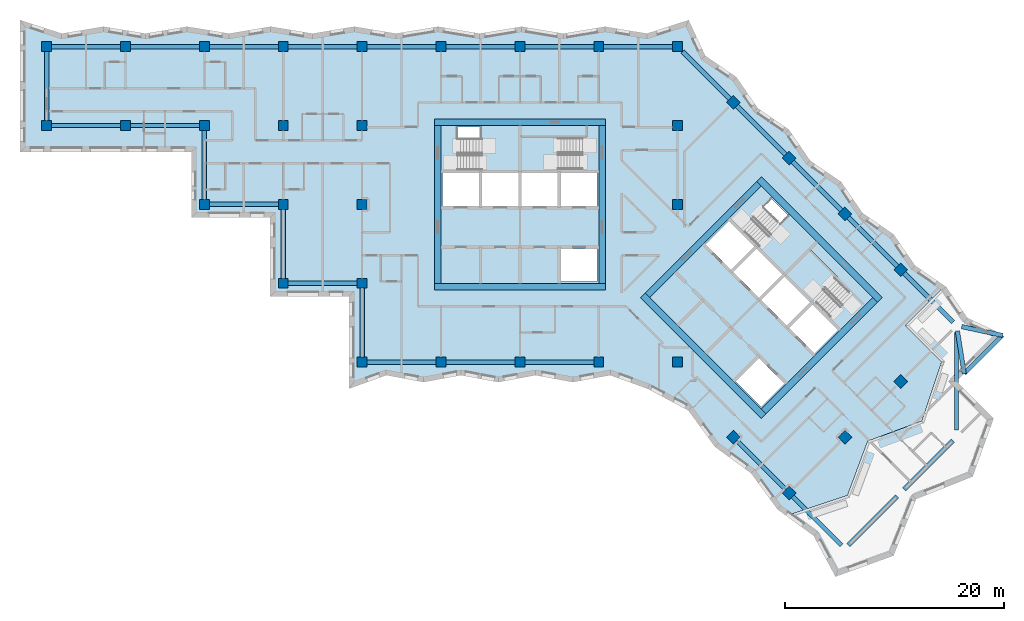
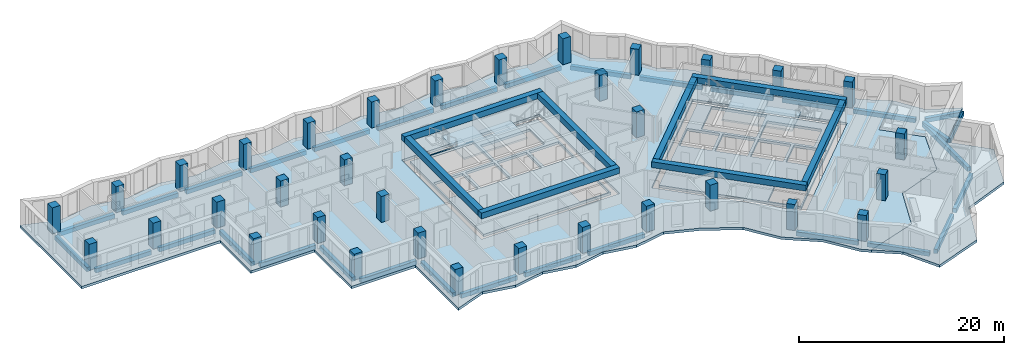
# One storey, part 1 of 13: 40 beams, 34 columns, 8 slabs, 16 openings, 4 elements without a shape of their own.
"""IFC4 building model written with IfcOpenShell, lengths in metres."""

from ifc_helpers import new_model, si_unit, direction, frame, origin, origin_2d, place, context, subcontext, project, spatial, polyline, rectangle, outline, extrude, material, layer, layer_set, material_profile, profile_set, type_object, element, aggregate, save


model = new_model("IFC4")

# Units and contexts
model_context = context("Model", 3, precision=1e-05, world=origin(), true_north=direction((0.0, 1.0)))
body_context = subcontext(model_context, "Body", "Model", "MODEL_VIEW")
ifc_project = project(units=[si_unit("LENGTHUNIT", "METRE"), si_unit("AREAUNIT", "SQUARE_METRE"), si_unit("VOLUMEUNIT", "CUBIC_METRE"), si_unit("PLANEANGLEUNIT", "RADIAN"), si_unit("MASSUNIT", "GRAM", prefix="KILO")], contexts=[model_context])

# Site, building, storey
site_placement = place(None, origin())
site = spatial("IfcSite", under=ifc_project, at=site_placement, CompositionType="ELEMENT")
building_placement = place(site_placement, origin())
building = spatial("IfcBuilding", under=site, at=building_placement, Name="Windrow Commons", CompositionType="ELEMENT")
storey_placement = place(building_placement, frame((0.0, 0.0, 172.8)))
storey = spatial("IfcBuildingStorey", under=building, at=storey_placement, Name="L47", CompositionType="ELEMENT", Elevation=172.8)

# Columns
ifc_material_1 = material(Name="Concrete C50/60", Category="concrete")
ifc_material_profile_1 = material_profile(ifc_material_1, rectangle(XDim=0.9, YDim=0.9, at=origin_2d()))
ifc_profile_set_1 = profile_set([ifc_material_profile_1], Name="Concrete C50/60")
column_type = type_object("IfcColumnType", Name="RC COLUMN 900x900 C50/60", PredefinedType="COLUMN", material=ifc_profile_set_1)
for number, where, z_axis, x_axis, name in (
    (1, (21.6, 64.8, 0.0), (0.0, 0.0, 1.0), (1.0, 0.0, 0.0), "C-Z3-04I"),
    (2, (21.6, 72.0, 0.0), (0.0, 0.0, 1.0), (1.0, 0.0, 0.0), "C-Z3-04J"),
    (3, (28.8, 64.8, 0.0), (0.0, 0.0, 1.0), (1.0, 0.0, 0.0), "C-Z3-05I"),
    (4, (28.8, 72.0, 0.0), (0.0, 0.0, 1.0), (1.0, 0.0, 0.0), "C-Z3-05J"),
    (5, (36.0, 57.6, 0.0), (0.0, 0.0, 1.0), (1.0, 0.0, 0.0), "C-Z3-06H"),
    (6, (36.0, 64.8, 0.0), (0.0, 0.0, 1.0), (1.0, 0.0, 0.0), "C-Z3-06I"),
    (7, (36.0, 72.0, 0.0), (0.0, 0.0, 1.0), (1.0, 0.0, 0.0), "C-Z3-06J"),
    (8, (43.2, 50.4, 0.0), (0.0, 0.0, 1.0), (1.0, 0.0, 0.0), "C-Z3-07G"),
    (9, (43.2, 57.6, 0.0), (0.0, 0.0, 1.0), (1.0, 0.0, 0.0), "C-Z3-07H"),
    (10, (43.2, 64.8, 0.0), (0.0, 0.0, 1.0), (1.0, 0.0, 0.0), "C-Z3-07I"),
    (11, (43.2, 72.0, 0.0), (0.0, 0.0, 1.0), (1.0, 0.0, 0.0), "C-Z3-07J"),
    (12, (50.4, 43.2, 0.0), (0.0, 0.0, 1.0), (1.0, 0.0, 0.0), "C-Z3-08F"),
    (13, (50.4, 50.4, 0.0), (0.0, 0.0, 1.0), (1.0, 0.0, 0.0), "C-Z3-08G"),
    (14, (50.4, 57.6, 0.0), (0.0, 0.0, 1.0), (1.0, 0.0, 0.0), "C-Z3-08H"),
    (15, (50.4, 64.8, 0.0), (0.0, 0.0, 1.0), (1.0, 0.0, 0.0), "C-Z3-08I"),
    (16, (50.4, 72.0, 0.0), (0.0, 0.0, 1.0), (1.0, 0.0, 0.0), "C-Z3-08J"),
    (17, (57.6, 43.2, 0.0), (0.0, 0.0, 1.0), (1.0, 0.0, 0.0), "C-Z3-09F"),
    (18, (57.6, 72.0, 0.0), (0.0, 0.0, 1.0), (1.0, 0.0, 0.0), "C-Z3-09J"),
    (19, (64.8, 43.2, 0.0), (0.0, 0.0, 1.0), (1.0, 0.0, 0.0), "C-Z3-10F"),
    (20, (64.8, 72.0, 0.0), (0.0, 0.0, 1.0), (1.0, 0.0, 0.0), "C-Z3-10J"),
    (21, (72.0, 43.2, 0.0), (0.0, 0.0, 1.0), (1.0, 0.0, 0.0), "C-Z3-11F"),
    (22, (72.0, 72.0, 0.0), (0.0, 0.0, 1.0), (1.0, 0.0, 0.0), "C-Z3-11J"),
    (23, (79.2, 43.2, 0.0), (0.0, 0.0, 1.0), (1.0, 0.0, 0.0), "C-Z3-12F"),
    (24, (79.2, 57.6, 0.0), (0.0, 0.0, 1.0), (1.0, 0.0, 0.0), "C-Z3-12H"),
    (25, (79.2, 64.8, 0.0), (0.0, 0.0, 1.0), (1.0, 0.0, 0.0), "C-Z3-12I"),
    (26, (79.2, 72.0, 0.0), (0.0, 0.0, 1.0), (1.0, 0.0, 0.0), "C-Z3-12J"),
    (27, (84.2912, 66.9088, 0.0), (0.0, 0.0, 1.0), (0.7071067812, -0.7071067812, 0.0), "C-Z3-P2Q"),
    (28, (89.3823, 61.8177, 0.0), (0.0, 0.0, 1.0), (0.7071067812, -0.7071067812, 0.0), "C-Z3-P3Q"),
    (29, (94.4735, 56.7265, 0.0), (0.0, 0.0, 1.0), (0.7071067812, -0.7071067812, 0.0), "C-Z3-P4Q"),
    (30, (99.5647, 51.6353, 0.0), (0.0, 0.0, 1.0), (0.7071067812, -0.7071067812, 0.0), "C-Z3-P5Q"),
    (31, (84.2912, 36.3618, 0.0), (0.0, 0.0, 1.0), (0.7071067812, -0.7071067812, 0.0), "C-Z3-P5T"),
    (32, (99.5647, 41.453, 0.0), (0.0, 0.0, 1.0), (0.7071067812, -0.7071067812, 0.0), "C-Z3-P6R"),
    (33, (94.4735, 36.3618, 0.0), (0.0, 0.0, 1.0), (0.7071067812, -0.7071067812, 0.0), "C-Z3-P6S"),
    (34, (89.3823, 31.2706, 0.0), (0.0, 0.0, 1.0), (0.7071067812, -0.7071067812, 0.0), "C-Z3-P6T"),
):
    element("IfcColumn", number, at=place(storey_placement, frame(where, z_axis=z_axis, x_axis=x_axis)), inside=storey, type_object=column_type, Name=name, PredefinedType="COLUMN", context=body_context, shape_type="SweptSolid", body=[
        extrude(rectangle(XDim=0.9, YDim=0.9, at=origin_2d()), origin(), (0.0, 0.0, 1.0), 3.1),
    ])

# Beams
ifc_material_2 = material(Name="Concrete C50/60", Category="concrete")
ifc_material_profile_2 = material_profile(ifc_material_2, rectangle(XDim=0.6, YDim=0.7, at=origin_2d()))
ifc_profile_set_2 = profile_set([ifc_material_profile_2], Name="Concrete C50/60")
beam_type_1 = type_object("IfcBeamType", Name="RC COUPLING BEAM 600x700 C50/60", PredefinedType="LINTEL", material=ifc_profile_set_2)
for number, where, z_axis, x_axis, name in (
    (35, (57.0, 50.1, 2.75), (1.0, 0.0, 0.0), (0.0, 1.0, 0.0), "Core A coupling beam outer-S"),
    (36, (57.0, 65.1, 2.75), (1.0, 0.0, 0.0), (0.0, 1.0, 0.0), "Core A coupling beam outer-N"),
):
    element("IfcBeam", number, at=place(storey_placement, frame(where, z_axis=z_axis, x_axis=x_axis)), inside=storey, type_object=beam_type_1, Name=name, PredefinedType="LINTEL", context=body_context, shape_type="SweptSolid", body=[
        extrude(rectangle(XDim=0.6, YDim=0.7, at=origin_2d()), origin(), (0.0, 0.0, 1.0), 15.6),
    ])
for number, where, z_axis, x_axis, name in (
    (37, (57.3, 50.4, 2.75), (0.0, 1.0, 0.0), (-1.0, 0.0, 0.0), "Core A coupling beam outer-W"),
    (38, (72.3, 50.4, 2.75), (0.0, 1.0, 0.0), (-1.0, 0.0, 0.0), "Core A coupling beam outer-E"),
):
    element("IfcBeam", number, at=place(storey_placement, frame(where, z_axis=z_axis, x_axis=x_axis)), inside=storey, type_object=beam_type_1, Name=name, PredefinedType="LINTEL", context=body_context, shape_type="SweptSolid", body=[
        extrude(rectangle(XDim=0.6, YDim=0.7, at=origin_2d()), origin(), (0.0, 0.0, 1.0), 14.4),
    ])
for number, where, z_axis, x_axis, name in (
    (39, (76.018, 49.3019, 2.75), (0.7071067812, -0.7071067812, 0.0), (0.7071067812, 0.7071067812, 0.0), "Core B coupling beam outer-S"),
    (40, (86.6246, 59.9085, 2.75), (0.7071067812, -0.7071067812, 0.0), (0.7071067812, 0.7071067812, 0.0), "Core B coupling beam outer-N"),
):
    element("IfcBeam", number, at=place(storey_placement, frame(where, z_axis=z_axis, x_axis=x_axis)), inside=storey, type_object=beam_type_1, Name=name, PredefinedType="LINTEL", context=body_context, shape_type="SweptSolid", body=[
        extrude(rectangle(XDim=0.6, YDim=0.7, at=origin_2d()), origin(), (0.0, 0.0, 1.0), 15.6),
    ])
for number, where, z_axis, x_axis, name in (
    (41, (76.4423, 49.3019, 2.75), (0.7071067812, 0.7071067812, 0.0), (-0.7071067812, 0.7071067812, 0.0), "Core B coupling beam outer-W"),
    (42, (87.0489, 38.6953, 2.75), (0.7071067812, 0.7071067812, 0.0), (-0.7071067812, 0.7071067812, 0.0), "Core B coupling beam outer-E"),
):
    element("IfcBeam", number, at=place(storey_placement, frame(where, z_axis=z_axis, x_axis=x_axis)), inside=storey, type_object=beam_type_1, Name=name, PredefinedType="LINTEL", context=body_context, shape_type="SweptSolid", body=[
        extrude(rectangle(XDim=0.6, YDim=0.7, at=origin_2d()), origin(), (0.0, 0.0, 1.0), 14.3999),
    ])
ifc_material_3 = material(Name="Concrete C50/60", Category="concrete")
ifc_material_profile_3 = material_profile(ifc_material_3, rectangle(XDim=0.4, YDim=0.5, at=origin_2d()))
ifc_profile_set_3 = profile_set([ifc_material_profile_3], Name="Concrete C50/60")
beam_type_2 = type_object("IfcBeamType", Name="RC EDGE BEAM 400x500 C50/60", PredefinedType="SPANDREL", material=ifc_profile_set_3)
beam_1_placement = place(storey_placement, frame((108.8491, 45.6461, -0.55), z_axis=(-0.7071270372, -0.7070865246, 0.0), x_axis=(0.7070865246, -0.7071270372, 0.0)))
element("IfcBeam", 43, at=beam_1_placement, inside=storey, type_object=beam_type_2, Name="Terrace base beam TR-L47-1", PredefinedType="SPANDREL", context=body_context, shape_type="SweptSolid", body=[
    extrude(rectangle(XDim=0.4, YDim=0.5, at=origin_2d()), origin(), (0.0, 0.0, 1.0), 4.9367),
])
beam_2_placement = place(storey_placement, frame((105.131, 46.4424, -0.55), z_axis=(0.9778258847, -0.2094195293, 0.0), x_axis=(0.2094195293, 0.9778258847, 0.0)))
element("IfcBeam", 44, at=beam_2_placement, inside=storey, type_object=beam_type_2, Name="Terrace base bracket beam TR-L47-1.1", PredefinedType="SPANDREL", context=body_context, shape_type="SweptSolid", body=[
    extrude(rectangle(XDim=0.4, YDim=0.5, at=origin_2d()), origin(), (0.0, 0.0, 1.0), 3.8024),
])
beam_3_placement = place(storey_placement, frame((104.7357, 46.045, -0.55), z_axis=(0.1580310956, -0.9874341359, 0.0), x_axis=(0.9874341359, 0.1580310956, 0.0)))
element("IfcBeam", 45, at=beam_3_placement, inside=storey, type_object=beam_type_2, Name="Terrace base bracket beam TR-L47-1.2", PredefinedType="SPANDREL", context=body_context, shape_type="SweptSolid", body=[
    extrude(rectangle(XDim=0.4, YDim=0.5, at=origin_2d()), origin(), (0.0, 0.0, 1.0), 3.9391),
])
for number, where, z_axis, x_axis, name in (
    (46, (36.0, 58.05, -0.55), (0.0, 1.0, 0.0), (-1.0, 0.0, 0.0), "Edge beam L47 001"),
    (47, (35.55, 64.8, -0.55), (-1.0, 0.0, 0.0), (0.0, -1.0, 0.0), "Edge beam L47 002"),
    (48, (28.35, 64.8, -0.55), (-1.0, 0.0, 0.0), (0.0, -1.0, 0.0), "Edge beam L47 003"),
    (49, (21.6, 65.25, -0.55), (0.0, 1.0, 0.0), (-1.0, 0.0, 0.0), "Edge beam L47 004"),
    (50, (22.05, 72.0, -0.55), (1.0, 0.0, 0.0), (0.0, 1.0, 0.0), "Edge beam L47 005"),
    (51, (29.25, 72.0, -0.55), (1.0, 0.0, 0.0), (0.0, 1.0, 0.0), "Edge beam L47 006"),
    (52, (36.45, 72.0, -0.55), (1.0, 0.0, 0.0), (0.0, 1.0, 0.0), "Edge beam L47 007"),
    (53, (43.65, 72.0, -0.55), (1.0, 0.0, 0.0), (0.0, 1.0, 0.0), "Edge beam L47 008"),
    (54, (50.85, 72.0, -0.55), (1.0, 0.0, 0.0), (0.0, 1.0, 0.0), "Edge beam L47 009"),
    (55, (58.05, 72.0, -0.55), (1.0, 0.0, 0.0), (0.0, 1.0, 0.0), "Edge beam L47 010"),
    (56, (65.25, 72.0, -0.55), (1.0, 0.0, 0.0), (0.0, 1.0, 0.0), "Edge beam L47 011"),
    (57, (72.45, 72.0, -0.55), (1.0, 0.0, 0.0), (0.0, 1.0, 0.0), "Edge beam L47 012"),
):
    element("IfcBeam", number, at=place(storey_placement, frame(where, z_axis=z_axis, x_axis=x_axis)), inside=storey, type_object=beam_type_2, Name=name, PredefinedType="SPANDREL", context=body_context, shape_type="SweptSolid", body=[
        extrude(rectangle(XDim=0.4, YDim=0.5, at=origin_2d()), origin(), (0.0, 0.0, 1.0), 6.3),
    ])
beam_4_placement = place(storey_placement, frame((79.65, 71.55, -0.55), z_axis=(0.7071067812, -0.7071067812, 0.0), x_axis=(0.7071067812, 0.7071067812, 0.0)))
element("IfcBeam", 58, at=beam_4_placement, inside=storey, type_object=beam_type_2, Name="Edge beam L47 013", PredefinedType="SPANDREL", context=body_context, shape_type="SweptSolid", body=[
    extrude(rectangle(XDim=0.4, YDim=0.5, at=origin_2d()), origin(), (0.0, 0.0, 1.0), 6.1136),
])
beam_5_placement = place(storey_placement, frame((84.6094, 66.5906, -0.55), z_axis=(0.7071067812, -0.7071067812, 0.0), x_axis=(0.7071067812, 0.7071067812, 0.0)))
element("IfcBeam", 59, at=beam_5_placement, inside=storey, type_object=beam_type_2, Name="Edge beam L47 014", PredefinedType="SPANDREL", context=body_context, shape_type="SweptSolid", body=[
    extrude(rectangle(XDim=0.4, YDim=0.5, at=origin_2d()), origin(), (0.0, 0.0, 1.0), 6.2999),
])
for number, where, z_axis, x_axis, name in (
    (60, (89.7005, 61.4995, -0.55), (0.7071067812, -0.7071067812, 0.0), (0.7071067812, 0.7071067812, 0.0), "Edge beam L47 015"),
    (61, (94.7917, 56.4083, -0.55), (0.7071067812, -0.7071067812, 0.0), (0.7071067812, 0.7071067812, 0.0), "Edge beam L47 016"),
):
    element("IfcBeam", number, at=place(storey_placement, frame(where, z_axis=z_axis, x_axis=x_axis)), inside=storey, type_object=beam_type_2, Name=name, PredefinedType="SPANDREL", context=body_context, shape_type="SweptSolid", body=[
        extrude(rectangle(XDim=0.4, YDim=0.5, at=origin_2d()), origin(), (0.0, 0.0, 1.0), 6.3),
    ])
beam_6_placement = place(storey_placement, frame((99.8829, 51.3171, -0.55), z_axis=(0.7071067812, -0.7071067812, 0.0), x_axis=(0.7071067812, 0.7071067812, 0.0)))
element("IfcBeam", 62, at=beam_6_placement, inside=storey, type_object=beam_type_2, Name="Edge beam L47 017", PredefinedType="SPANDREL", context=body_context, shape_type="SweptSolid", body=[
    extrude(rectangle(XDim=0.4, YDim=0.5, at=origin_2d()), origin(), (0.0, 0.0, 1.0), 6.2999),
])
beam_7_placement = place(storey_placement, frame((104.6558, 45.9078, -0.55), z_axis=(0.0, -1.0, 0.0), x_axis=(1.0, 0.0, 0.0)))
element("IfcBeam", 63, at=beam_7_placement, inside=storey, type_object=beam_type_2, Name="Edge beam L47 018", PredefinedType="SPANDREL", context=body_context, shape_type="SweptSolid", body=[
    extrude(rectangle(XDim=0.4, YDim=0.5, at=origin_2d()), origin(), (0.0, 0.0, 1.0), 8.9096),
])
for number, where, z_axis, x_axis, name in (
    (64, (104.3376, 36.0436, -0.55), (-0.7070988446, -0.7071147177, 0.0), (0.7071147177, -0.7070988446, 0.0), "Edge beam L47 019"),
    (65, (99.2465, 30.9524, -0.55), (-0.7071147177, -0.7070988446, 0.0), (0.7070988446, -0.7071147177, 0.0), "Edge beam L47 020"),
    (66, (94.1553, 26.4977, -0.55), (-0.7071147177, 0.7070988446, 0.0), (-0.7070988446, -0.7071147177, 0.0), "Edge beam L47 021"),
    (67, (89.0641, 31.5888, -0.55), (-0.7070988446, 0.7071147177, 0.0), (-0.7071147177, -0.7070988446, 0.0), "Edge beam L47 022"),
    (68, (71.55, 43.2, -0.55), (-1.0, 0.0, 0.0), (0.0, -1.0, 0.0), "Edge beam L47 023"),
    (69, (64.35, 43.2, -0.55), (-1.0, 0.0, 0.0), (0.0, -1.0, 0.0), "Edge beam L47 024"),
    (70, (57.15, 43.2, -0.55), (-1.0, 0.0, 0.0), (0.0, -1.0, 0.0), "Edge beam L47 025"),
    (71, (50.4, 43.65, -0.55), (0.0, 1.0, 0.0), (-1.0, 0.0, 0.0), "Edge beam L47 026"),
    (72, (49.95, 50.4, -0.55), (-1.0, 0.0, 0.0), (0.0, -1.0, 0.0), "Edge beam L47 027"),
    (73, (43.2, 50.85, -0.55), (0.0, 1.0, 0.0), (-1.0, 0.0, 0.0), "Edge beam L47 028"),
    (74, (42.75, 57.6, -0.55), (-1.0, 0.0, 0.0), (0.0, -1.0, 0.0), "Edge beam L47 029"),
):
    element("IfcBeam", number, at=place(storey_placement, frame(where, z_axis=z_axis, x_axis=x_axis)), inside=storey, type_object=beam_type_2, Name=name, PredefinedType="SPANDREL", context=body_context, shape_type="SweptSolid", body=[
        extrude(rectangle(XDim=0.4, YDim=0.5, at=origin_2d()), origin(), (0.0, 0.0, 1.0), 6.3),
    ])

# Slab, openings
ifc_material_4 = material(Name="Concrete C50/60", Category="concrete")
ifc_layer_1 = layer(ifc_material_4, 0.3)
ifc_layer_set_1 = layer_set([ifc_layer_1], Name="CORE FLOOR SLAB 300 C50/60")
slab_type_1 = type_object("IfcSlabType", Name="CORE FLOOR SLAB 300 C50/60", PredefinedType="FLOOR", material=ifc_layer_set_1)
placement_1 = place(storey_placement, frame((0.0, 0.0, -0.3)))
slab_1 = element("IfcSlab", 75, at=placement_1, inside=storey, type_object=slab_type_1, Name="S-L47-core-A", PredefinedType="FLOOR", context=body_context, shape_type="SweptSolid", body=[
    extrude(outline(polyline([(57.6, 50.4), (72.0, 50.4), (72.0, 64.8), (57.6, 64.8), (57.6, 50.4)]), holes=[polyline([(68.55, 50.55), (71.85, 50.55), (71.85, 53.55), (68.55, 53.55), (68.55, 50.55)]), polyline([(57.75, 57.45), (61.05, 57.45), (61.05, 60.45), (57.75, 60.45), (57.75, 57.45)]), polyline([(61.35, 57.45), (64.65, 57.45), (64.65, 60.45), (61.35, 60.45), (61.35, 57.45)]), polyline([(64.95, 57.45), (68.25, 57.45), (68.25, 60.45), (64.95, 60.45), (64.95, 57.45)]), polyline([(68.55, 57.45), (71.85, 57.45), (71.85, 60.45), (68.55, 60.45), (68.55, 57.45)]), polyline([(59.1, 60.75), (64.65, 60.75), (64.65, 64.65), (59.1, 64.65), (59.1, 60.75)]), polyline([(64.95, 60.75), (70.5, 60.75), (70.5, 63.705), (64.95, 63.705), (64.95, 60.75)])]), origin(), (0.0, 0.0, 1.0), 0.3),
])
opening_1_placement = place(placement_1, origin())
element("IfcOpeningElement", 76, at=opening_1_placement, cuts=slab_1, Name="Slab opening S-L47-core-A 1", PredefinedType="OPENING", context=body_context, shape_type="SweptSolid", body=[
    extrude(outline(polyline([(68.555, 50.555), (68.555, 53.545), (71.845, 53.545), (71.845, 50.555), (68.555, 50.555)])), origin(), (0.0, 0.0, 1.0), 0.3),
])
opening_2_placement = place(placement_1, origin())
element("IfcOpeningElement", 77, at=opening_2_placement, cuts=slab_1, Name="Slab opening S-L47-core-A 2", PredefinedType="OPENING", context=body_context, shape_type="SweptSolid", body=[
    extrude(outline(polyline([(57.755, 57.455), (57.755, 60.445), (61.045, 60.445), (61.045, 57.455), (57.755, 57.455)])), origin(), (0.0, 0.0, 1.0), 0.3),
])
opening_3_placement = place(placement_1, origin())
element("IfcOpeningElement", 78, at=opening_3_placement, cuts=slab_1, Name="Slab opening S-L47-core-A 3", PredefinedType="OPENING", context=body_context, shape_type="SweptSolid", body=[
    extrude(outline(polyline([(61.355, 57.455), (61.355, 60.445), (64.645, 60.445), (64.645, 57.455), (61.355, 57.455)])), origin(), (0.0, 0.0, 1.0), 0.3),
])
opening_4_placement = place(placement_1, origin())
element("IfcOpeningElement", 79, at=opening_4_placement, cuts=slab_1, Name="Slab opening S-L47-core-A 4", PredefinedType="OPENING", context=body_context, shape_type="SweptSolid", body=[
    extrude(outline(polyline([(64.955, 57.455), (64.955, 60.445), (68.245, 60.445), (68.245, 57.455), (64.955, 57.455)])), origin(), (0.0, 0.0, 1.0), 0.3),
])
opening_5_placement = place(placement_1, origin())
element("IfcOpeningElement", 80, at=opening_5_placement, cuts=slab_1, Name="Slab opening S-L47-core-A 5", PredefinedType="OPENING", context=body_context, shape_type="SweptSolid", body=[
    extrude(outline(polyline([(68.555, 57.455), (68.555, 60.445), (71.845, 60.445), (71.845, 57.455), (68.555, 57.455)])), origin(), (0.0, 0.0, 1.0), 0.3),
])
opening_6_placement = place(placement_1, origin())
element("IfcOpeningElement", 81, at=opening_6_placement, cuts=slab_1, Name="Slab opening S-L47-core-A 6", PredefinedType="OPENING", context=body_context, shape_type="SweptSolid", body=[
    extrude(outline(polyline([(59.105, 60.755), (59.105, 64.645), (64.645, 64.645), (64.645, 60.755), (59.105, 60.755)])), origin(), (0.0, 0.0, 1.0), 0.3),
])
opening_7_placement = place(placement_1, origin())
element("IfcOpeningElement", 82, at=opening_7_placement, cuts=slab_1, Name="Slab opening S-L47-core-A 7", PredefinedType="OPENING", context=body_context, shape_type="SweptSolid", body=[
    extrude(outline(polyline([(64.955, 60.755), (64.955, 63.7), (70.495, 63.7), (70.495, 60.755), (64.955, 60.755)])), origin(), (0.0, 0.0, 1.0), 0.3),
])

slab_2 = element("IfcSlab", 83, at=placement_1, inside=storey, type_object=slab_type_1, Name="S-L47-core-B", PredefinedType="FLOOR", context=body_context, shape_type="SweptSolid", body=[
    extrude(outline(polyline([(76.6544, 49.0897), (86.8368, 38.9074), (97.0191, 49.0897), (86.8368, 59.2721), (76.6544, 49.0897)]), holes=[polyline([(84.5033, 41.453), (86.8368, 39.1195), (88.9581, 41.2409), (86.6246, 43.5743), (84.5033, 41.453)]), polyline([(81.7456, 53.9688), (84.079, 51.6353), (86.2004, 53.7566), (83.8669, 56.0901), (81.7456, 53.9688)]), polyline([(84.2912, 51.4232), (86.6246, 49.0897), (88.7459, 51.2111), (86.4125, 53.5445), (84.2912, 51.4232)]), polyline([(86.8368, 48.8776), (89.1702, 46.5442), (91.2915, 48.6655), (88.9581, 50.9989), (86.8368, 48.8776)]), polyline([(89.3823, 46.332), (91.7158, 43.9986), (93.8371, 46.1199), (91.5037, 48.4533), (89.3823, 46.332)]), polyline([(85.0336, 55.3476), (88.9581, 51.4232), (91.7158, 54.1809), (87.7913, 58.1054), (85.0336, 55.3476)]), polyline([(89.1702, 51.2111), (93.0946, 47.2866), (95.1841, 49.3761), (91.2597, 53.3006), (89.1702, 51.2111)])]), origin(), (0.0, 0.0, 1.0), 0.3),
])
opening_8_placement = place(placement_1, origin())
element("IfcOpeningElement", 84, at=opening_8_placement, cuts=slab_2, Name="Slab opening S-L47-core-B 1", PredefinedType="OPENING", context=body_context, shape_type="SweptSolid", body=[
    extrude(outline(polyline([(84.5104, 41.453), (86.6246, 43.5672), (88.951, 41.2409), (86.8368, 39.1266), (84.5104, 41.453)])), origin(), (0.0, 0.0, 1.0), 0.3),
])
opening_9_placement = place(placement_1, origin())
element("IfcOpeningElement", 85, at=opening_9_placement, cuts=slab_2, Name="Slab opening S-L47-core-B 2", PredefinedType="OPENING", context=body_context, shape_type="SweptSolid", body=[
    extrude(outline(polyline([(81.7527, 53.9688), (83.8669, 56.083), (86.1933, 53.7566), (84.079, 51.6424), (81.7527, 53.9688)])), origin(), (0.0, 0.0, 1.0), 0.3),
])
opening_10_placement = place(placement_1, origin())
element("IfcOpeningElement", 86, at=opening_10_placement, cuts=slab_2, Name="Slab opening S-L47-core-B 3", PredefinedType="OPENING", context=body_context, shape_type="SweptSolid", body=[
    extrude(outline(polyline([(84.2983, 51.4232), (86.4125, 53.5374), (88.7388, 51.2111), (86.6246, 49.0968), (84.2983, 51.4232)])), origin(), (0.0, 0.0, 1.0), 0.3),
])
opening_11_placement = place(placement_1, origin())
element("IfcOpeningElement", 87, at=opening_11_placement, cuts=slab_2, Name="Slab opening S-L47-core-B 4", PredefinedType="OPENING", context=body_context, shape_type="SweptSolid", body=[
    extrude(outline(polyline([(86.8439, 48.8776), (88.9581, 50.9918), (91.2844, 48.6655), (89.1702, 46.5513), (86.8439, 48.8776)])), origin(), (0.0, 0.0, 1.0), 0.3),
])
opening_12_placement = place(placement_1, origin())
element("IfcOpeningElement", 88, at=opening_12_placement, cuts=slab_2, Name="Slab opening S-L47-core-B 5", PredefinedType="OPENING", context=body_context, shape_type="SweptSolid", body=[
    extrude(outline(polyline([(89.3894, 46.332), (91.5037, 48.4462), (93.83, 46.1199), (91.7158, 44.0057), (89.3894, 46.332)])), origin(), (0.0, 0.0, 1.0), 0.3),
])
opening_13_placement = place(placement_1, origin())
element("IfcOpeningElement", 89, at=opening_13_placement, cuts=slab_2, Name="Slab opening S-L47-core-B 6", PredefinedType="OPENING", context=body_context, shape_type="SweptSolid", body=[
    extrude(outline(polyline([(85.0407, 55.3476), (87.7913, 58.0983), (91.7087, 54.1809), (88.9581, 51.4303), (85.0407, 55.3476)])), origin(), (0.0, 0.0, 1.0), 0.3),
])
opening_14_placement = place(placement_1, origin())
element("IfcOpeningElement", 90, at=opening_14_placement, cuts=slab_2, Name="Slab opening S-L47-core-B 7", PredefinedType="OPENING", context=body_context, shape_type="SweptSolid", body=[
    extrude(outline(polyline([(89.1773, 51.2111), (91.2597, 53.2935), (95.177, 49.3761), (93.0946, 47.2937), (89.1773, 51.2111)])), origin(), (0.0, 0.0, 1.0), 0.3),
])

# Stair, slab
ifc_material_5 = material(Name="Concrete C40/50", Category="concrete")
stair_type = type_object("IfcStairType", Name="Core stair", PredefinedType="HALF_TURN_STAIR", material=ifc_material_5)
placement_2 = place(storey_placement, origin())
stair_1 = element("IfcStair", 91, at=placement_2, inside=storey, type_object=stair_type, Name="L47 Exit stair A1 core A", PredefinedType="HALF_TURN_STAIR")
ifc_material_6 = material(Name="Concrete C40/50", Category="concrete")
ifc_layer_2 = layer(ifc_material_6, 0.2)
ifc_layer_set_2 = layer_set([ifc_layer_2], Name="Core stair landing")
slab_type_2 = type_object("IfcSlabType", Name="Core stair landing", PredefinedType="LANDING", material=ifc_layer_set_2)
placement_3 = place(storey_placement, frame((0.0, 0.0, 1.5)))
slab_3 = element("IfcSlab", 92, at=placement_3, type_object=slab_type_2, Name="ST-A1 landing 1", PredefinedType="LANDING", context=body_context, shape_type="SweptSolid", body=[
    extrude(outline(polyline([(61.22, 60.5), (64.8, 60.5), (64.8, 64.9), (61.22, 64.9), (61.22, 60.5)])), origin(), (0.0, 0.0, 1.0), 0.2),
])
aggregate(stair_1, [slab_3])

stair_2 = element("IfcStair", 93, at=placement_2, inside=storey, type_object=stair_type, Name="L47 Exit stair A2 core A", PredefinedType="HALF_TURN_STAIR")
slab_4 = element("IfcSlab", 94, at=placement_3, type_object=slab_type_2, Name="ST-A2 landing 1", PredefinedType="LANDING", context=body_context, shape_type="SweptSolid", body=[
    extrude(outline(polyline([(64.8, 60.5), (68.38, 60.5), (68.38, 63.855), (64.8, 63.855), (64.8, 60.5)])), origin(), (0.0, 0.0, 1.0), 0.2),
])
aggregate(stair_2, [slab_4])

stair_3 = element("IfcStair", 95, at=placement_2, inside=storey, type_object=stair_type, Name="L47 Exit stair B1 core B", PredefinedType="HALF_TURN_STAIR")
slab_5 = element("IfcSlab", 96, at=placement_3, type_object=slab_type_2, Name="ST-B1 landing 1", PredefinedType="LANDING", context=body_context, shape_type="SweptSolid", body=[
    extrude(outline(polyline([(86.3559, 53.6718), (88.8874, 51.1403), (91.9986, 54.2516), (89.4672, 56.7831), (86.3559, 53.6718)])), origin(), (0.0, 0.0, 1.0), 0.2),
])
aggregate(stair_3, [slab_5])

stair_4 = element("IfcStair", 97, at=placement_2, inside=storey, type_object=stair_type, Name="L47 Exit stair B2 core B", PredefinedType="HALF_TURN_STAIR")
slab_6 = element("IfcSlab", 98, at=placement_3, type_object=slab_type_2, Name="ST-B2 landing 1", PredefinedType="LANDING", context=body_context, shape_type="SweptSolid", body=[
    extrude(outline(polyline([(88.8874, 51.1403), (91.4188, 48.6089), (93.7911, 50.9812), (91.2597, 53.5127), (88.8874, 51.1403)])), origin(), (0.0, 0.0, 1.0), 0.2),
])
aggregate(stair_4, [slab_6])

# Slab, openings
ifc_material_7 = material(Name="Concrete C50/60", Category="concrete")
ifc_layer_3 = layer(ifc_material_7, 0.3)
ifc_layer_set_3 = layer_set([ifc_layer_3], Name="FLOOR SLAB 300 C50/60")
slab_type_3 = type_object("IfcSlabType", Name="FLOOR SLAB 300 C50/60", PredefinedType="FLOOR", material=ifc_layer_set_3)
slab_7 = element("IfcSlab", 99, at=placement_1, inside=storey, type_object=slab_type_3, Name="S-L47-floor", PredefinedType="FLOOR", context=body_context, shape_type="SweptSolid", body=[
    extrude(outline(polyline([(80.1782, 38.7777), (82.5918, 35.4732), (85.8963, 33.0596), (88.3099, 29.755), (90.384, 28.2401), (89.1138, 29.1679), (94.7047, 31.0315), (96.5453, 35.987), (101.5009, 37.8276), (101.7362, 38.5334), (102.0492, 39.4726), (103.196, 42.9128), (103.302, 43.231), (99.989, 46.5442), (103.5991, 50.1543), (100.871, 52.0261), (98.9234, 54.8646), (96.0849, 56.8122), (94.1374, 59.6507), (91.2989, 61.5982), (89.3514, 64.4367), (86.5129, 66.3842), (84.5653, 69.2227), (81.7269, 71.1702), (80.2036, 74.433), (76.3888, 73.2), (72.574, 73.833), (68.7592, 73.2), (64.9444, 73.833), (61.1297, 73.2), (57.3149, 73.833), (53.5001, 73.2), (49.6853, 73.833), (45.8705, 73.2), (42.0557, 73.833), (38.2409, 73.2), (34.4261, 73.833), (30.6114, 73.2), (26.7966, 73.833), (22.9818, 73.2), (19.167, 74.433), (19.167, 62.367), (34.8, 62.367), (34.8, 56.4), (42.0, 56.4), (42.0, 49.2), (49.2, 49.2), (49.2, 40.767), (52.6062, 42.0), (56.0124, 41.367), (59.4185, 42.0), (62.8247, 41.367), (66.2309, 42.0), (69.6371, 41.367), (73.0432, 42.0), (76.4494, 40.767), (80.1782, 38.7777)]), holes=[polyline([(97.8676, 49.0897), (86.8368, 38.0589), (75.8059, 49.0897), (86.8368, 60.1206), (97.8676, 49.0897)]), polyline([(72.6, 65.4), (72.6, 49.8), (57.0, 49.8), (57.0, 65.4), (72.6, 65.4)])]), origin(), (0.0, 0.0, 1.0), 0.3),
])
opening_15_placement = place(placement_1, origin())
element("IfcOpeningElement", 100, at=opening_15_placement, cuts=slab_7, Name="Slab opening S-L47-floor 1", PredefinedType="OPENING", context=body_context, shape_type="SweptSolid", body=[
    extrude(outline(polyline([(97.8605, 49.0897), (86.8368, 38.066), (75.813, 49.0897), (86.8368, 60.1135), (97.8605, 49.0897)])), origin(), (0.0, 0.0, 1.0), 0.3),
])
opening_16_placement = place(placement_1, origin())
element("IfcOpeningElement", 101, at=opening_16_placement, cuts=slab_7, Name="Slab opening S-L47-floor 2", PredefinedType="OPENING", context=body_context, shape_type="SweptSolid", body=[
    extrude(outline(polyline([(72.595, 65.395), (72.595, 49.805), (57.005, 49.805), (57.005, 65.395), (72.595, 65.395)])), origin(), (0.0, 0.0, 1.0), 0.3),
])

# Slab
ifc_material_8 = material(Name="Concrete C50/60", Category="concrete")
ifc_layer_4 = layer(ifc_material_8, 0.3)
ifc_layer_set_4 = layer_set([ifc_layer_4], Name="TERRACE SLAB 300 C50/60")
slab_type_4 = type_object("IfcSlabType", Name="TERRACE SLAB 300 C50/60", PredefinedType="FLOOR", material=ifc_layer_set_4)
element("IfcSlab", 102, at=placement_1, inside=storey, type_object=slab_type_4, Name="Terrace slab TR-L47-1", PredefinedType="FLOOR", context=body_context, shape_type="SweptSolid", body=[
    extrude(outline(polyline([(94.7047, 31.0315), (89.1138, 29.1679), (91.4443, 27.4657), (91.6144, 27.3415), (92.0853, 26.4588), (93.6038, 23.6127), (94.3316, 23.8752), (98.9124, 25.5272), (100.0455, 28.3752), (100.9683, 30.6944), (106.1355, 32.7503), (108.05, 38.0589), (104.6558, 41.453), (108.9198, 45.7168), (105.657, 47.2401), (105.3546, 47.6809), (103.7095, 50.0786), (103.5991, 50.1543), (99.989, 46.5442), (103.302, 43.231), (103.196, 42.9128), (102.0492, 39.4726), (101.7362, 38.5334), (101.5009, 37.8276), (96.5453, 35.987), (94.7047, 31.0315)])), origin(), (0.0, 0.0, 1.0), 0.3),
])

save(model, "model.ifc")
